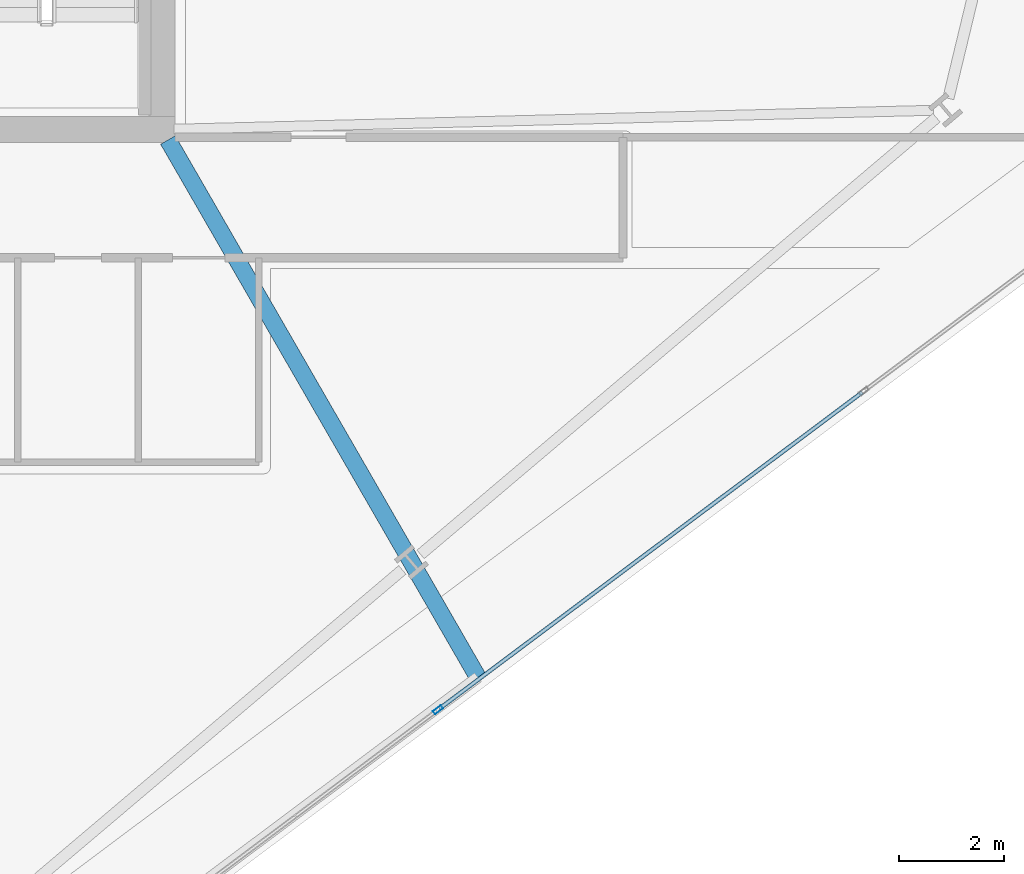
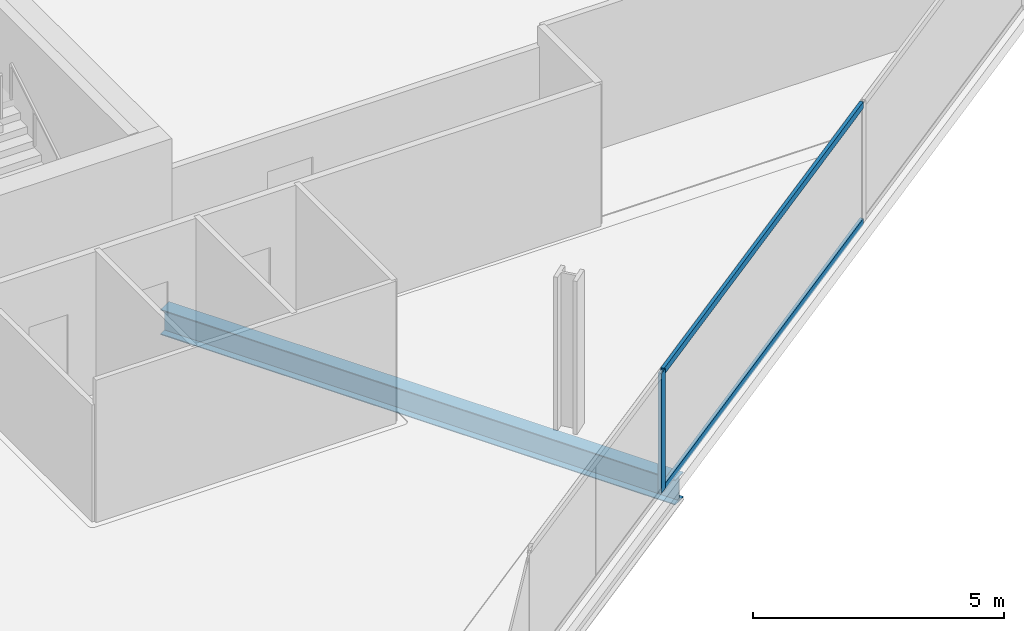
# One storey, part 8 of 32: 3 members, 1 beam, 1 element without a shape of its own.
"""IFC4 building model written with IfcOpenShell, lengths in metres."""

from ifc_helpers import new_model, si_unit, direction, frame, origin, origin_2d, place, context, subcontext, project, spatial, hollow_rectangle, i_section, extrude, material, material_profile, profile_set, type_object, element, aggregate, save


model = new_model("IFC4")

# Units and contexts
model_context = context("Model", 3, precision=1e-05, world=origin(), true_north=direction((0.0, 1.0)))
body_context = subcontext(model_context, "Body", "Model", "MODEL_VIEW")
ifc_project = project(units=[si_unit("LENGTHUNIT", "METRE"), si_unit("AREAUNIT", "SQUARE_METRE"), si_unit("VOLUMEUNIT", "CUBIC_METRE"), si_unit("PLANEANGLEUNIT", "RADIAN"), si_unit("MASSUNIT", "GRAM", prefix="KILO")], contexts=[model_context])

# Site, building, storey
site_placement = place(None, origin())
site = spatial("IfcSite", under=ifc_project, at=site_placement, CompositionType="ELEMENT")
building_placement = place(site_placement, origin())
building = spatial("IfcBuilding", under=site, at=building_placement, Name="Haldenkirk Collegiate Tower", CompositionType="ELEMENT")
storey_placement = place(building_placement, frame((0.0, 0.0, 151.949951171875)))
storey = spatial("IfcBuildingStorey", under=building, at=storey_placement, Name="L37", CompositionType="ELEMENT", Elevation=151.949951171875)

# Beam
ifc_material_1 = material(Name="Steel ASTM A992 Grade 50", Category="steel")
ifc_material_profile_1 = material_profile(ifc_material_1, i_section(OverallWidth=0.324951171875, OverallDepth=0.615966796875, WebThickness=0.013916015625, FlangeThickness=0.021484375, at=origin_2d()), Name="W24X117")
ifc_profile_set_1 = profile_set([ifc_material_profile_1], Name="Steel ASTM A992 Grade 50")
beam_type = type_object("IfcBeamType", Name="BM-GIRDER-W24X117", PredefinedType="BEAM", material=ifc_profile_set_1)
beam_placement = place(storey_placement, frame((51.02978515625, 7.5458984375, -0.597900390625), z_axis=(-0.499628423424, 0.866239827361, 0.0), x_axis=(-0.866239827361, -0.499628423424, 0.0)))
element("IfcBeam", 1, at=beam_placement, inside=storey, type_object=beam_type, Name="L37 primary floor girder 06", PredefinedType="BEAM", context=body_context, shape_type="SweptSolid", body=[
    extrude(i_section(OverallWidth=0.324951171875, OverallDepth=0.615966796875, WebThickness=0.013916015625, FlangeThickness=0.021484375, at=origin_2d()), origin(), (0.0, 0.0, 1.0), 11.83837890625),
])

# Curtain wall, members
ifc_material_2 = material(Name="Anodised architectural bronze aluminium", Category="aluminium")
curtain_wall_type = type_object("IfcCurtainWallType", Name="CW-SYS2-CONCAVE", PredefinedType="USERDEFINED", material=ifc_material_2)
curtain_wall_placement = place(storey_placement, origin())
curtain_wall = element("IfcCurtainWall", 2, at=curtain_wall_placement, inside=storey, type_object=curtain_wall_type, Name="L37 South concave recessed bronze-anodised curtain wall", ObjectType="UNITISED CURTAIN WALL", PredefinedType="USERDEFINED")
ifc_material_profile_2 = material_profile(ifc_material_2, hollow_rectangle(XDim=0.074951171875, YDim=0.18994140625, WallThickness=0.0048828125, at=origin_2d()), Name="CW-MUL-02")
ifc_profile_set_2 = profile_set([ifc_material_profile_2], Name="Anodised architectural bronze aluminium")
member_type_1 = type_object("IfcMemberType", Name="CW-MUL-02", PredefinedType="MULLION", material=ifc_profile_set_2)
member_1_placement = place(storey_placement, frame((50.268798828125, 6.926513671875, 0.0), z_axis=(0.0, 0.0, 1.0), x_axis=(0.599025366751, -0.800730048136, 0.0)))
member_1 = element("IfcMember", 3, at=member_1_placement, type_object=member_type_1, Name="CW-02 mullion 3", PredefinedType="MULLION", context=body_context, shape_type="SweptSolid", body=[
    extrude(hollow_rectangle(XDim=0.074951171875, YDim=0.18994140625, WallThickness=0.0048828125, at=origin_2d()), origin(), (0.0, 0.0, 1.0), 2.9111328125),
])
ifc_material_profile_3 = material_profile(ifc_material_2, hollow_rectangle(XDim=0.074951171875, YDim=0.159912109375, WallThickness=0.0048828125, at=origin_2d()), Name="CW-TRN-02")
ifc_profile_set_3 = profile_set([ifc_material_profile_3], Name="Anodised architectural bronze aluminium")
member_type_2 = type_object("IfcMemberType", Name="CW-TRN-02", PredefinedType="USERDEFINED", material=ifc_profile_set_3)
member_2_placement = place(storey_placement, frame((58.3662109375, 12.984130859375, 0.03759765625), z_axis=(-0.800732188176, -0.599022506104, 0.0), x_axis=(0.599022506104, -0.800732188176, 0.0)))
member_2 = element("IfcMember", 4, at=member_2_placement, type_object=member_type_2, Name="CW-02 transom 2.1", ObjectType="TRANSOM", PredefinedType="USERDEFINED", context=body_context, shape_type="SweptSolid", body=[
    extrude(hollow_rectangle(XDim=0.074951171875, YDim=0.159912109375, WallThickness=0.0048828125, at=origin_2d()), origin(), (0.0, 0.0, 1.0), 10.074951171875),
])
member_3_placement = place(storey_placement, frame((58.3662109375, 12.984130859375, 2.87353515625), z_axis=(-0.800732188176, -0.599022506104, 0.0), x_axis=(0.599022506104, -0.800732188176, 0.0)))
member_3 = element("IfcMember", 5, at=member_3_placement, type_object=member_type_2, Name="CW-02 transom 2.2", ObjectType="TRANSOM", PredefinedType="USERDEFINED", context=body_context, shape_type="SweptSolid", body=[
    extrude(hollow_rectangle(XDim=0.074951171875, YDim=0.159912109375, WallThickness=0.0048828125, at=origin_2d()), origin(), (0.0, 0.0, 1.0), 10.074951171875),
])
aggregate(curtain_wall, [member_1, member_2, member_3])

save(model, "model.ifc")
